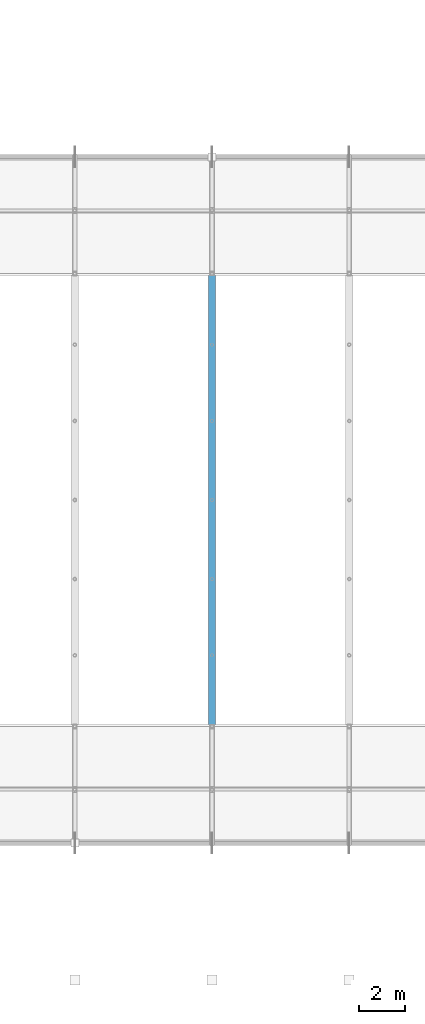
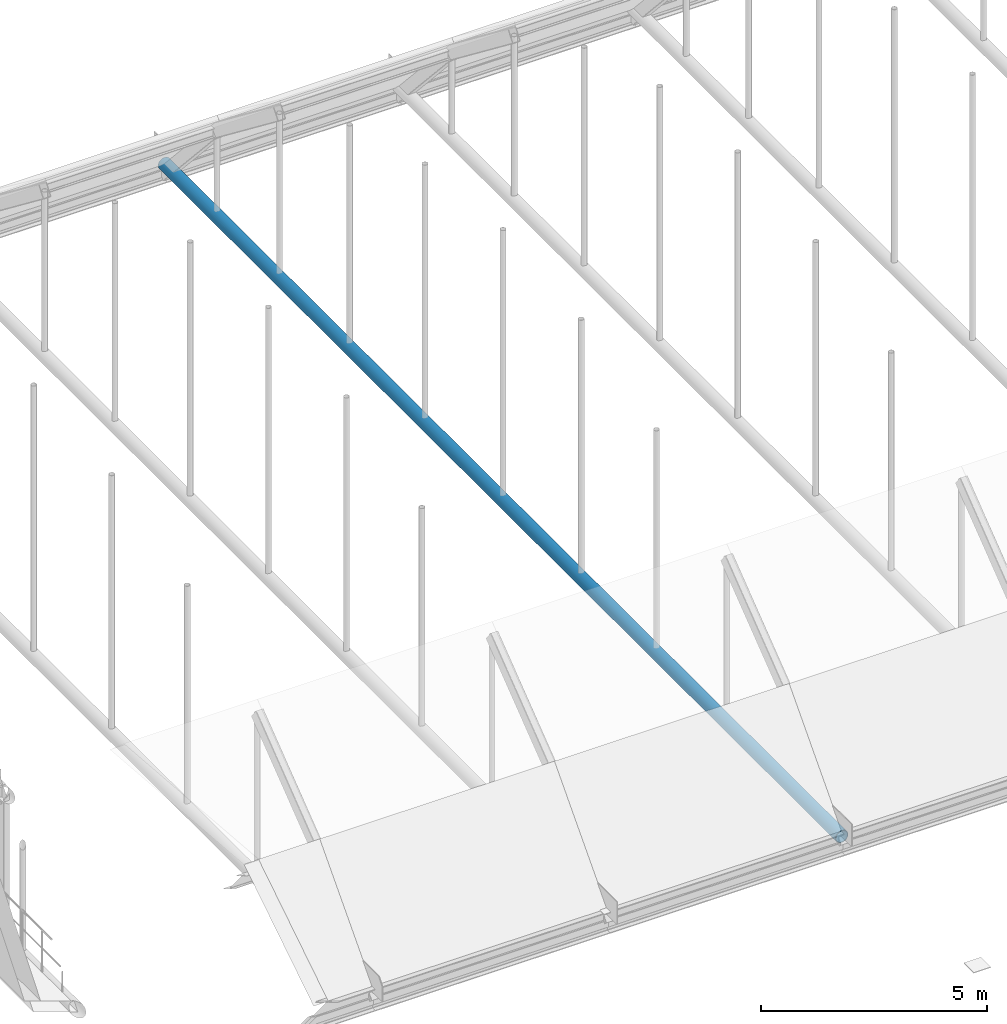
# One storey, part 46 of 116: 1 member.
"""IFC4 building model written with IfcOpenShell, lengths in metres."""

from ifc_helpers import new_model, si_unit, direction, frame, origin, origin_2d, place, context, subcontext, project, spatial, hollow_circle, extrude, material, material_profile, profile_set, type_object, element, save


model = new_model("IFC4")

# Units and contexts
model_context = context("Model", 3, precision=1e-05, world=origin(), true_north=direction((0.0, 1.0)))
body_context = subcontext(model_context, "Body", "Model", "MODEL_VIEW")
ifc_project = project(units=[si_unit("LENGTHUNIT", "METRE"), si_unit("AREAUNIT", "SQUARE_METRE"), si_unit("VOLUMEUNIT", "CUBIC_METRE"), si_unit("PLANEANGLEUNIT", "RADIAN"), si_unit("MASSUNIT", "GRAM", prefix="KILO")], contexts=[model_context])

# Site, building, storey
site_placement = place(None, origin())
site = spatial("IfcSite", under=ifc_project, at=site_placement, CompositionType="ELEMENT")
building_placement = place(site_placement, origin())
building = spatial("IfcBuilding", under=site, at=building_placement, Name="Varnakota Square Police Headquarters", CompositionType="ELEMENT")
storey_placement = place(building_placement, frame((0.0, 0.0, 9.300048828125)))
storey = spatial("IfcBuildingStorey", under=building, at=storey_placement, Name="L02", CompositionType="ELEMENT", Elevation=9.300048828125)

# Member
ifc_material = material(Name="Steel IS 2062 Grade 350", Category="steel")
ifc_material_profile = material_profile(ifc_material, hollow_circle(Radius=0.161865234375, WallThickness=0.0126953125, at=origin_2d()), Name="CHS 323.9x12.7")
ifc_profile_set = profile_set([ifc_material_profile], Name="Steel IS 2062 Grade 350")
member_type = type_object("IfcMemberType", Name="MEM-TIE-CHS273", PredefinedType="CHORD", material=ifc_profile_set)
member_placement = place(storey_placement, frame((72.0, 9.0, -0.150146484375), z_axis=(0.0, 1.0, 0.0), x_axis=(-1.0, 0.0, 0.0)))
element("IfcMember", 1, at=member_placement, inside=storey, type_object=member_type, Name="Barrel vault tie rod V1-R04", PredefinedType="CHORD", context=body_context, shape_type="SweptSolid", body=[
    extrude(hollow_circle(Radius=0.161865234375, WallThickness=0.0126953125, at=origin_2d()), origin(), (0.0, 0.0, 1.0), 30.0),
])

save(model, "model.ifc")
